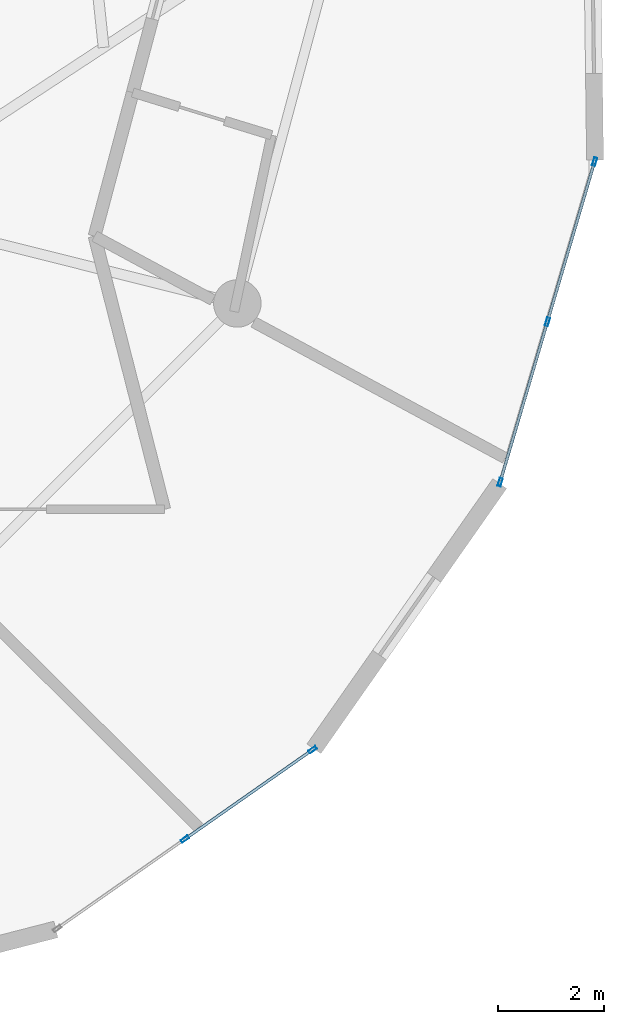
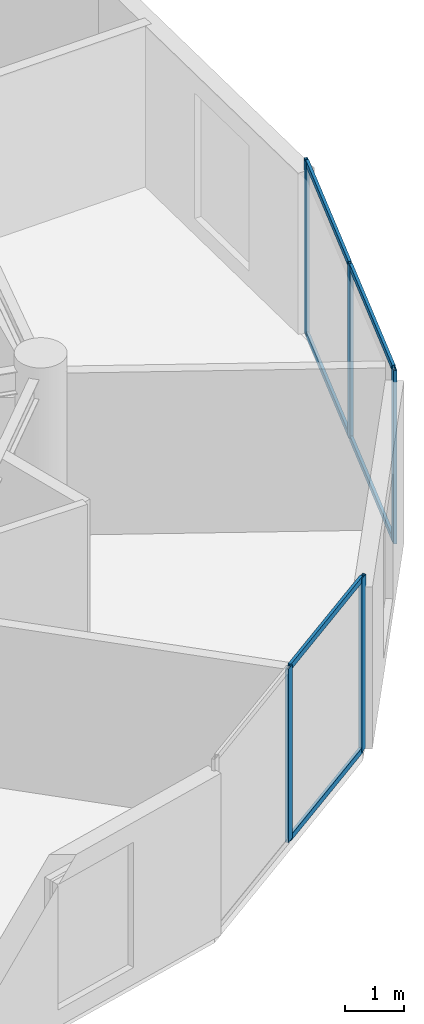
# One storey, part 9 of 21: 11 members, 2 elements without a shape of their own.
"""IFC4 building model written with IfcOpenShell, lengths in metres."""

from ifc_helpers import new_model, si_unit, direction, frame, origin, origin_2d, place, context, subcontext, project, spatial, hollow_rectangle, extrude, source, transform, mapped, material, layer, layer_set, material_profile, profile_set, type_object, element, aggregate, save


model = new_model("IFC4")

# Units and contexts
model_context = context("Model", 3, precision=1e-05, world=origin(), true_north=direction((0.0, 1.0)))
body_context = subcontext(model_context, "Body", "Model", "MODEL_VIEW")
ifc_project = project(units=[si_unit("LENGTHUNIT", "METRE"), si_unit("AREAUNIT", "SQUARE_METRE"), si_unit("VOLUMEUNIT", "CUBIC_METRE"), si_unit("PLANEANGLEUNIT", "RADIAN"), si_unit("MASSUNIT", "GRAM", prefix="KILO")], contexts=[model_context])

# Site, building, storey
site_placement = place(None, origin())
site = spatial("IfcSite", under=ifc_project, at=site_placement, CompositionType="ELEMENT")
building_placement = place(site_placement, origin())
building = spatial("IfcBuilding", under=site, at=building_placement, Name="Solvirekh Grand Hotel", CompositionType="ELEMENT")
storey_placement = place(building_placement, frame((0.0, 0.0, 205.60009765625)))
storey = spatial("IfcBuildingStorey", under=building, at=storey_placement, Name="L53", CompositionType="ELEMENT", Elevation=205.60009765625)

# Curtain wall, members
ifc_material = material(Name="Anodized Bronze Aluminium 6063-T6", Category="aluminium")
ifc_layer = layer(ifc_material, 0.159912109375)
ifc_layer_set = layer_set([ifc_layer], Name="Anodized Bronze Aluminium 6063-T6")
curtain_wall_type = type_object("IfcCurtainWallType", Name="CW_Sys4_HighZoneFlushBronzeCW", PredefinedType="NOTDEFINED", material=ifc_layer_set)
curtain_wall_1_placement = place(storey_placement, origin())
curtain_wall_1 = element("IfcCurtainWall", 1, at=curtain_wall_1_placement, inside=storey, type_object=curtain_wall_type, Name="L53 unitised bronze-glass curtain wall CW-L53-C03", PredefinedType="NOTDEFINED")
ifc_material_profile_1 = material_profile(ifc_material, hollow_rectangle(XDim=0.054931640625, YDim=0.1201171875, WallThickness=0.00390625, at=origin_2d()), Name="ALU RHS 120X55X4")
ifc_profile_set_1 = profile_set([ifc_material_profile_1], Name="Anodized Bronze Aluminium 6063-T6")
member_type_1 = type_object("IfcMemberType", Name="CWTransom_Sys4", PredefinedType="USERDEFINED", material=ifc_profile_set_1)
shared_shape_1 = source(origin(), body_context, "Body", "SweptSolid", [
    extrude(hollow_rectangle(XDim=0.054931640625, YDim=0.1201171875, WallThickness=0.00390625, at=origin_2d()), origin(), (0.0, 0.0, 1.0), 3.1044921875),
])
member_1_placement = place(storey_placement, frame((19.564453125, -8.22021484375, 0.02734375), z_axis=(0.282719779961, 0.959202546921, 0.0), x_axis=(-0.959202546921, 0.282719779961, 0.0)))
member_1 = element("IfcMember", 2, at=member_1_placement, type_object=member_type_1, Name="U04 transom 2.1", ObjectType="TRANSOM", PredefinedType="USERDEFINED", context=body_context, shape_type="MappedRepresentation", body=[
    mapped(shared_shape_1, transform((0.0, 0.0, 0.0), x_axis=(1.0, 0.0, 0.0), y_axis=(0.0, 1.0, 0.0), z_axis=(0.0, 0.0, 1.0), scale=1.0)),
])
member_2_placement = place(storey_placement, frame((19.564453125, -8.22021484375, 3.572509765625), z_axis=(0.282719779961, 0.959202546921, 0.0), x_axis=(-0.959202546921, 0.282719779961, 0.0)))
member_2 = element("IfcMember", 3, at=member_2_placement, type_object=member_type_1, Name="U04 transom 2.2", ObjectType="TRANSOM", PredefinedType="USERDEFINED", context=body_context, shape_type="MappedRepresentation", body=[
    mapped(shared_shape_1, transform((0.0, 0.0, 0.0), x_axis=(1.0, 0.0, 0.0), y_axis=(0.0, 1.0, 0.0), z_axis=(0.0, 0.0, 1.0), scale=1.0)),
])

curtain_wall_2_placement = place(storey_placement, origin())
curtain_wall_2 = element("IfcCurtainWall", 4, at=curtain_wall_2_placement, inside=storey, type_object=curtain_wall_type, Name="L53 unitised bronze-glass curtain wall CW-L53-C01", PredefinedType="NOTDEFINED")
ifc_material_profile_2 = material_profile(ifc_material, hollow_rectangle(XDim=0.06005859375, YDim=0.159912109375, WallThickness=0.0048828125, at=origin_2d()), Name="ALU RHS 160X60X5")
ifc_profile_set_2 = profile_set([ifc_material_profile_2], Name="Anodized Bronze Aluminium 6063-T6")
member_type_2 = type_object("IfcMemberType", Name="CWMullion_Sys4", PredefinedType="MULLION", material=ifc_profile_set_2)
shared_shape_2 = source(origin(), body_context, "Body", "SweptSolid", [
    extrude(hollow_rectangle(XDim=0.06005859375, YDim=0.159912109375, WallThickness=0.0048828125, at=origin_2d()), origin(), (0.0, 0.0, 1.0), 3.599853515625),
])
member_3_placement = place(storey_placement, frame((12.68994140625, -18.0458984375, 0.0), z_axis=(0.0, 0.0, 1.0), x_axis=(-0.573507335233, 0.81920042507, 0.0)))
member_3 = element("IfcMember", 5, at=member_3_placement, type_object=member_type_2, Name="U04 mullion 2", PredefinedType="MULLION", context=body_context, shape_type="MappedRepresentation", body=[
    mapped(shared_shape_2, transform((0.0, 0.0, 0.0), x_axis=(1.0, 0.0, 0.0), y_axis=(0.0, 1.0, 0.0), z_axis=(0.0, 0.0, 1.0), scale=1.0)),
])
member_4_placement = place(storey_placement, frame((15.109375, -16.352294921875, 0.0), z_axis=(0.0, 0.0, 1.0), x_axis=(-0.573507335233, 0.81920042507, 0.0)))
member_4 = element("IfcMember", 6, at=member_4_placement, type_object=member_type_2, Name="U04 mullion 3", PredefinedType="MULLION", context=body_context, shape_type="MappedRepresentation", body=[
    mapped(shared_shape_2, transform((0.0, 0.0, 0.0), x_axis=(1.0, 0.0, 0.0), y_axis=(0.0, 1.0, 0.0), z_axis=(0.0, 0.0, 1.0), scale=1.0)),
])

# Member
member_5_placement = place(storey_placement, frame((18.661376953125, -11.2841796875, 0.0), z_axis=(0.0, 0.0, 1.0), x_axis=(-0.959210822515, 0.282691701277, 0.0)))
member_5 = element("IfcMember", 7, at=member_5_placement, type_object=member_type_2, Name="U04 mullion 1", PredefinedType="MULLION", context=body_context, shape_type="MappedRepresentation", body=[
    mapped(shared_shape_2, transform((0.0, 0.0, 0.0), x_axis=(1.0, 0.0, 0.0), y_axis=(0.0, 1.0, 0.0), z_axis=(0.0, 0.0, 1.0), scale=1.0)),
])

member_6_placement = place(storey_placement, frame((19.555908203125, -8.2490234375, 0.0), z_axis=(0.0, 0.0, 1.0), x_axis=(-0.959210822515, 0.282691701277, 0.0)))
member_6 = element("IfcMember", 8, at=member_6_placement, type_object=member_type_2, Name="U04 mullion 2", PredefinedType="MULLION", context=body_context, shape_type="MappedRepresentation", body=[
    mapped(shared_shape_2, transform((0.0, 0.0, 0.0), x_axis=(1.0, 0.0, 0.0), y_axis=(0.0, 1.0, 0.0), z_axis=(0.0, 0.0, 1.0), scale=1.0)),
])

member_7_placement = place(storey_placement, frame((20.450439453125, -5.2138671875, 0.0), z_axis=(0.0, 0.0, 1.0), x_axis=(-0.959210822515, 0.282691701277, 0.0)))
member_7 = element("IfcMember", 9, at=member_7_placement, type_object=member_type_2, Name="U04 mullion 3", PredefinedType="MULLION", context=body_context, shape_type="MappedRepresentation", body=[
    mapped(shared_shape_2, transform((0.0, 0.0, 0.0), x_axis=(1.0, 0.0, 0.0), y_axis=(0.0, 1.0, 0.0), z_axis=(0.0, 0.0, 1.0), scale=1.0)),
])

shared_shape_3 = source(origin(), body_context, "Body", "SweptSolid", [
    extrude(hollow_rectangle(XDim=0.054931640625, YDim=0.1201171875, WallThickness=0.00390625, at=origin_2d()), origin(), (0.0, 0.0, 1.0), 2.8935546875),
])
member_8_placement = place(storey_placement, frame((12.714599609375, -18.02880859375, 0.02734375), z_axis=(0.81920417183, 0.573501983307, 0.0), x_axis=(-0.573501983307, 0.81920417183, 0.0)))
member_8 = element("IfcMember", 10, at=member_8_placement, type_object=member_type_1, Name="U04 transom 2.1", ObjectType="TRANSOM", PredefinedType="USERDEFINED", context=body_context, shape_type="MappedRepresentation", body=[
    mapped(shared_shape_3, transform((0.0, 0.0, 0.0), x_axis=(1.0, 0.0, 0.0), y_axis=(0.0, 1.0, 0.0), z_axis=(0.0, 0.0, 1.0), scale=1.0)),
])

member_9_placement = place(storey_placement, frame((12.714599609375, -18.02880859375, 3.572509765625), z_axis=(0.81920417183, 0.573501983307, 0.0), x_axis=(-0.573501983307, 0.81920417183, 0.0)))
member_9 = element("IfcMember", 11, at=member_9_placement, type_object=member_type_1, Name="U04 transom 2.2", ObjectType="TRANSOM", PredefinedType="USERDEFINED", context=body_context, shape_type="MappedRepresentation", body=[
    mapped(shared_shape_3, transform((0.0, 0.0, 0.0), x_axis=(1.0, 0.0, 0.0), y_axis=(0.0, 1.0, 0.0), z_axis=(0.0, 0.0, 1.0), scale=1.0)),
])

aggregate(curtain_wall_2, [member_3, member_4, member_8, member_9])

shared_shape_4 = source(origin(), body_context, "Body", "SweptSolid", [
    extrude(hollow_rectangle(XDim=0.054931640625, YDim=0.1201171875, WallThickness=0.00390625, at=origin_2d()), origin(), (0.0, 0.0, 1.0), 3.104248046875),
])
member_10_placement = place(storey_placement, frame((18.669921875, -11.25537109375, 0.02734375), z_axis=(0.282741108207, 0.959196260277, 0.0), x_axis=(-0.959196260277, 0.282741108207, 0.0)))
member_10 = element("IfcMember", 12, at=member_10_placement, type_object=member_type_1, Name="U04 transom 1.1", ObjectType="TRANSOM", PredefinedType="USERDEFINED", context=body_context, shape_type="MappedRepresentation", body=[
    mapped(shared_shape_4, transform((0.0, 0.0, 0.0), x_axis=(1.0, 0.0, 0.0), y_axis=(0.0, 1.0, 0.0), z_axis=(0.0, 0.0, 1.0), scale=1.0)),
])

member_11_placement = place(storey_placement, frame((18.669921875, -11.25537109375, 3.572509765625), z_axis=(0.282741108207, 0.959196260277, 0.0), x_axis=(-0.959196260277, 0.282741108207, 0.0)))
member_11 = element("IfcMember", 13, at=member_11_placement, type_object=member_type_1, Name="U04 transom 1.2", ObjectType="TRANSOM", PredefinedType="USERDEFINED", context=body_context, shape_type="MappedRepresentation", body=[
    mapped(shared_shape_4, transform((0.0, 0.0, 0.0), x_axis=(1.0, 0.0, 0.0), y_axis=(0.0, 1.0, 0.0), z_axis=(0.0, 0.0, 1.0), scale=1.0)),
])

aggregate(curtain_wall_1, [member_5, member_6, member_7, member_10, member_11, member_1, member_2])

save(model, "model.ifc")
